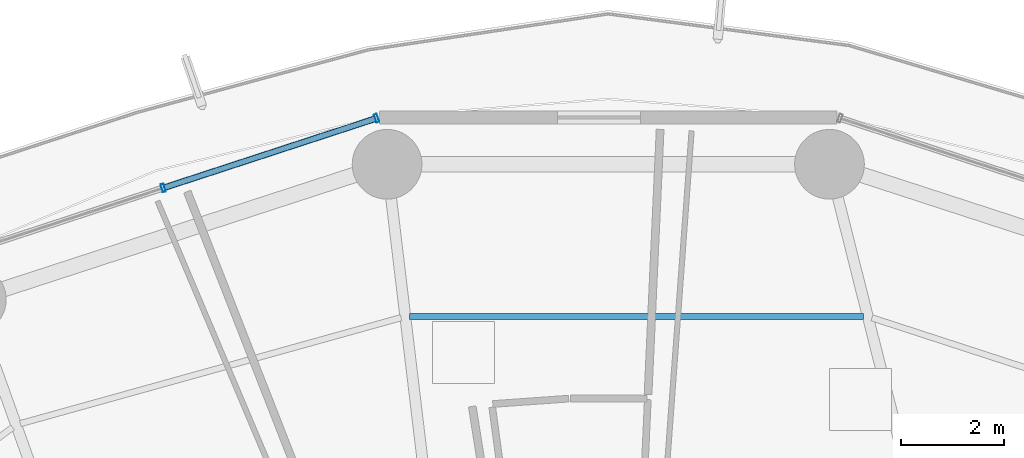
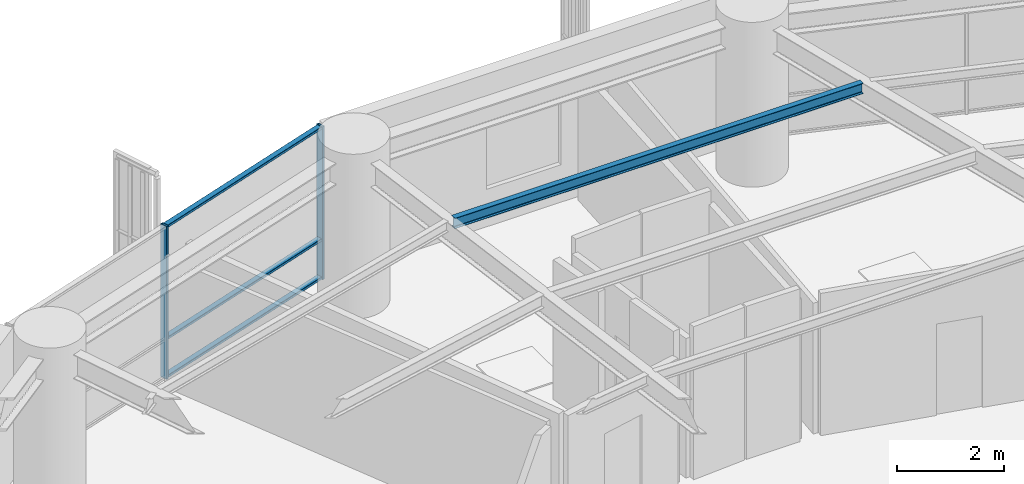
# One storey, part 22 of 37: 5 members, 1 beam, 1 element without a shape of its own.
"""IFC4 building model written with IfcOpenShell, lengths in metres."""

import ifcopenshell
import ifcopenshell.guid

model = None  # the IFC model being written
_history = None  # IfcOwnerHistory: only IFC2X3 demands one
_inside = {}  # id of a spatial element -> (the spatial element, [elements in it])
_under = {}  # id of a project, library or spatial element -> (it, [spatial elements below it])
_declared = {}  # id of a project -> (the project, [libraries it declares])
_typed = {}  # id of a type object -> (the type object, [elements of that type])
_made_of = {}  # id of a material, layer set ... -> (it, [elements and type objects made of it])


def new_model(schema):
    """Start an empty IFC model of exactly this schema.

    Asked for "IFC4X3", IfcOpenShell would pick the latest addendum, in which some entities
    have other attributes; the version numbers below select the first issue.
    IFC2X3 requires an IfcOwnerHistory on every rooted entity: one is made here for all.
    """
    global model, _history
    if schema == "IFC4X3":
        model = ifcopenshell.file(schema_version=(4, 3, 0, 0))
    else:
        model = ifcopenshell.file(schema=schema)
    _inside.clear()
    _under.clear()
    _declared.clear()
    _typed.clear()
    _made_of.clear()
    _history = None
    if model.schema == "IFC2X3":
        org = make("IfcOrganization", Name="unknown")
        user = make(
            "IfcPersonAndOrganization",
            ThePerson=make("IfcPerson", FamilyName="unknown"),
            TheOrganization=org,
        )
        app = make(
            "IfcApplication",
            ApplicationDeveloper=org,
            Version="unknown",
            ApplicationFullName="unknown",
            ApplicationIdentifier="unknown",
        )
        _history = make(
            "IfcOwnerHistory",
            OwningUser=user,
            OwningApplication=app,
            ChangeAction="ADDED",
            CreationDate=0,
        )
    return model


def make(cls, **values):
    """One entity of the class cls with the attributes given. An attribute that is None is left unset."""
    return model.create_entity(
        cls, **{name: value for name, value in values.items() if value is not None}
    )


def rooted(cls, **values):
    """An entity with a GlobalId (a new one), such as an element, a storey or a relation."""
    return make(cls, GlobalId=ifcopenshell.guid.new(), OwnerHistory=_history, **values)


def si_unit(unit_type, name, prefix=None):
    """IfcSIUnit, for example si_unit("LENGTHUNIT", "METRE", prefix="MILLI")."""
    return make("IfcSIUnit", UnitType=unit_type, Prefix=prefix, Name=name)


def assignment(units):
    """IfcUnitAssignment: the units of a project."""
    return None if units is None else make("IfcUnitAssignment", Units=units)


def point(xyz):
    """IfcCartesianPoint."""
    return None if xyz is None else make("IfcCartesianPoint", Coordinates=xyz)


def direction(xyz):
    """IfcDirection."""
    return None if xyz is None else make("IfcDirection", DirectionRatios=xyz)


def frame(location, z_axis=None, x_axis=None):
    """IfcAxis2Placement3D, a coordinate frame: its origin and axes. An axis left out is left unset."""
    return make(
        "IfcAxis2Placement3D",
        Location=point(location),
        Axis=direction(z_axis),
        RefDirection=direction(x_axis),
    )


def frame_2d(location, x_axis=None):
    """IfcAxis2Placement2D, a coordinate frame in the plane: its origin and x axis."""
    return make(
        "IfcAxis2Placement2D", Location=point(location), RefDirection=direction(x_axis)
    )


def origin():
    """The frame at (0, 0, 0) with its axes left unset."""
    return frame((0.0, 0.0, 0.0))


def origin_2d():
    """The frame at (0, 0) in the plane with its x axis left unset."""
    return frame_2d((0.0, 0.0))


def place(relative_to, where):
    """IfcLocalPlacement: puts the frame where relative to a parent placement (None: the world)."""
    return make(
        "IfcLocalPlacement", PlacementRelTo=relative_to, RelativePlacement=where
    )


def context(
    kind, dimensions, precision=None, world=None, true_north=None, identifier=None
):
    """IfcGeometricRepresentationContext, for example the 3D "Model" context."""
    return make(
        "IfcGeometricRepresentationContext",
        ContextIdentifier=identifier,
        ContextType=kind,
        CoordinateSpaceDimension=dimensions,
        Precision=precision,
        WorldCoordinateSystem=world,
        TrueNorth=true_north,
    )


def subcontext(parent, identifier, kind, view, scale=None):
    """IfcGeometricRepresentationSubContext, for example "Body" below "Model"."""
    return make(
        "IfcGeometricRepresentationSubContext",
        ContextIdentifier=identifier,
        ContextType=kind,
        ParentContext=parent,
        TargetScale=scale,
        TargetView=view,
    )


def project(units=None, contexts=None):
    """IfcProject with its units and contexts."""
    return rooted(
        "IfcProject",
        Name="project",
        RepresentationContexts=contexts,
        UnitsInContext=assignment(units),
    )


def spatial(cls, under=None, at=None, **own):
    """A site, building, storey or space (cls), placed at a placement, below another one or the project."""
    s = rooted(cls, ObjectPlacement=at, **own)
    if under is not None:
        _under.setdefault(under.id(), (under, []))[1].append(s)
    return s


def profile(cls, at=None, kind="AREA", **sizes):
    """A parametric profile (cls). Its sizes go by their IFC names, for example OverallWidth=200.0."""
    return make(cls, ProfileType=kind, Position=at, **sizes)


def hollow_rectangle(**sizes):
    """IfcRectangleHollowProfileDef."""
    return profile("IfcRectangleHollowProfileDef", **sizes)


def i_section(**sizes):
    """IfcIShapeProfileDef."""
    return profile("IfcIShapeProfileDef", **sizes)


def extrude(swept, where, along, depth):
    """IfcExtrudedAreaSolid: the profile swept, set in the frame where, extruded along a direction by depth."""
    return make(
        "IfcExtrudedAreaSolid",
        SweptArea=swept,
        Position=where,
        ExtrudedDirection=direction(along),
        Depth=depth,
    )


def shape(context_of_items, identifier, shape_type, items):
    """IfcShapeRepresentation: the items that make up one representation, for example the "Body"."""
    return make(
        "IfcShapeRepresentation",
        ContextOfItems=context_of_items,
        RepresentationIdentifier=identifier,
        RepresentationType=shape_type,
        Items=items,
    )


def material(Name=None, Category=None):
    """IfcMaterial."""
    return make("IfcMaterial", Name=Name, Category=Category)


def layer(
    of_material, thickness, ventilated=None, Name=None, Category=None, Priority=None
):
    """IfcMaterialLayer: one layer of a wall or slab, of a material (None: an air gap)."""
    return make(
        "IfcMaterialLayer",
        Material=of_material,
        LayerThickness=thickness,
        IsVentilated=ventilated,
        Name=Name,
        Category=Category,
        Priority=Priority,
    )


def layer_set(layers, Name=None):
    """IfcMaterialLayerSet."""
    return make("IfcMaterialLayerSet", MaterialLayers=layers, LayerSetName=Name)


def material_profile(
    of_material, cross_section, Name=None, Category=None, Priority=None
):
    """IfcMaterialProfile: a cross section and its material."""
    return make(
        "IfcMaterialProfile",
        Name=Name,
        Material=of_material,
        Profile=cross_section,
        Priority=Priority,
        Category=Category,
    )


def profile_set(profiles, Name=None, composite=None):
    """IfcMaterialProfileSet."""
    return make(
        "IfcMaterialProfileSet",
        Name=Name,
        MaterialProfiles=profiles,
        CompositeProfile=composite,
    )


def made_of(thing, what):
    """Note that an element or type object is made of a material, layer set ...; save() writes the relation."""
    if what is not None:
        _made_of.setdefault(what.id(), (what, []))[1].append(thing)
    return thing


def type_object(cls, material=None, **own):
    """A type object (cls), such as IfcWallType, which elements share."""
    return made_of(rooted(cls, **own), material)


def element(
    cls,
    number,
    at=None,
    inside=None,
    cuts=None,
    type_object=None,
    material=None,
    context=None,
    identifier="Body",
    shape_type=None,
    held_by="IfcProductDefinitionShape",
    body=None,
    shapes=None,
    **own,
):
    """One element of the class cls, such as IfcWall. Its Tag is "e" and its number.

    at: its placement. inside: the storey or other place that contains it. cuts: it is an
    opening in that element (IfcRelVoidsElement). A single representation is given by context,
    identifier, shape_type and body (its items); several are given by shapes. held_by: the class
    of the entity that holds the representations. save() writes the other relations.
    """
    e = rooted(cls, Tag="e%d" % number, ObjectPlacement=at, **own)
    if body is not None:
        shapes = [shape(context, identifier, shape_type, body)]
    if shapes is not None:
        e.Representation = make(held_by, Representations=shapes)
    if inside is not None:
        _inside.setdefault(inside.id(), (inside, []))[1].append(e)
    if cuts is not None:
        rooted(
            "IfcRelVoidsElement", RelatingBuildingElement=cuts, RelatedOpeningElement=e
        )
    if type_object is not None:
        _typed.setdefault(type_object.id(), (type_object, []))[1].append(e)
    return made_of(e, material)


def aggregate(whole, parts):
    """IfcRelAggregates: a whole, such as a stair, and the parts it consists of."""
    return rooted("IfcRelAggregates", RelatingObject=whole, RelatedObjects=parts)


def save(model, path):
    """Write the relations noted so far, then the file.

    IfcRelAggregates (storeys below a building ...), IfcRelContainedInSpatialStructure (elements
    in a storey), IfcRelDefinesByType, IfcRelAssociatesMaterial and IfcRelDeclares: one each for
    every whole, place, type object, material and project.
    """
    for whole, parts in _under.values():
        aggregate(whole, parts)
    for where, things in _inside.values():
        rooted(
            "IfcRelContainedInSpatialStructure",
            RelatedElements=things,
            RelatingStructure=where,
        )
    for kind, things in _typed.values():
        rooted("IfcRelDefinesByType", RelatedObjects=things, RelatingType=kind)
    for what, things in _made_of.values():
        rooted("IfcRelAssociatesMaterial", RelatedObjects=things, RelatingMaterial=what)
    for by, libraries in _declared.values():
        rooted("IfcRelDeclares", RelatingContext=by, RelatedDefinitions=libraries)
    model.write(path)


model = new_model("IFC4")

# Units and contexts
model_context = context("Model", 3, precision=1e-05, world=origin(), true_north=direction((0.0, 1.0)))
body_context = subcontext(model_context, "Body", "Model", "MODEL_VIEW")
ifc_project = project(units=[si_unit("LENGTHUNIT", "METRE"), si_unit("AREAUNIT", "SQUARE_METRE"), si_unit("VOLUMEUNIT", "CUBIC_METRE"), si_unit("PLANEANGLEUNIT", "RADIAN"), si_unit("MASSUNIT", "GRAM", prefix="KILO")], contexts=[model_context])

# Site, building, storey
site_placement = place(None, origin())
site = spatial("IfcSite", under=ifc_project, at=site_placement, CompositionType="ELEMENT")
building_placement = place(site_placement, origin())
building = spatial("IfcBuilding", under=site, at=building_placement, Name="Kelanora Arch Commons", CompositionType="ELEMENT")
storey_placement = place(building_placement, frame((0.0, 0.0, 110.10009765625)))
storey = spatial("IfcBuildingStorey", under=building, at=storey_placement, Name="L28", CompositionType="ELEMENT", Elevation=110.10009765625)

# Beam
ifc_material_1 = material(Name="Steel S355", Category="steel")
ifc_material_profile_1 = material_profile(ifc_material_1, i_section(OverallWidth=0.1201171875, OverallDepth=0.239990234375, WebThickness=0.006103515625, FlangeThickness=0.009765625, FilletRadius=0.014892578125, at=origin_2d()), Name="IPE240")
ifc_profile_set_1 = profile_set([ifc_material_profile_1], Name="Steel S355")
beam_type = type_object("IfcBeamType", Name="BM-JST-02", PredefinedType="JOIST", material=ifc_profile_set_1)
beam_placement = place(storey_placement, frame((78.943603515625, 76.795654296875, 3.369873046875), z_axis=(-1.0, 0.0, 0.0), x_axis=(0.0, -1.0, 0.0)))
element("IfcBeam", 1, at=beam_placement, inside=storey, type_object=beam_type, Name="Secondary Chord Joist BJC-08 L28", PredefinedType="JOIST", context=body_context, shape_type="SweptSolid", body=[
    extrude(i_section(OverallWidth=0.1201171875, OverallDepth=0.239990234375, WebThickness=0.006103515625, FlangeThickness=0.009765625, FilletRadius=0.014892578125, at=origin_2d()), origin(), (0.0, 0.0, 1.0), 8.791015625),
])

# Curtain wall, members
ifc_material_2 = material(Name="Terracotta ceramic-fritted low-E glass and aluminium", Category="masonry")
ifc_layer = layer(ifc_material_2, 0.159912109375)
ifc_layer_set = layer_set([ifc_layer], Name="Terracotta ceramic-fritted low-E glass and aluminium")
curtain_wall_type = type_object("IfcCurtainWallType", Name="CW-SYS-01", PredefinedType="NOTDEFINED", material=ifc_layer_set)
curtain_wall_placement = place(storey_placement, origin())
curtain_wall = element("IfcCurtainWall", 2, at=curtain_wall_placement, inside=storey, type_object=curtain_wall_type, Name="Unitised Curtain Wall L28-B05", PredefinedType="NOTDEFINED")
ifc_material_3 = material(Name="Powder-coated aluminium terracotta", Category="masonry")
ifc_material_profile_2 = material_profile(ifc_material_3, hollow_rectangle(XDim=0.159912109375, YDim=0.06005859375, WallThickness=0.0048828125, InnerFilletRadius=0.0048828125, OuterFilletRadius=0.010009765625, at=origin_2d()), Name="CWM160x60")
ifc_profile_set_2 = profile_set([ifc_material_profile_2], Name="Powder-coated aluminium terracotta")
member_type_1 = type_object("IfcMemberType", Name="CWM-STD", PredefinedType="MULLION", material=ifc_profile_set_2)
member_1_placement = place(storey_placement, frame((69.51171875, 80.636474609375, 0.0), z_axis=(0.0, 0.0, 1.0), x_axis=(0.31080470294, -0.950473795867, 0.0)))
member_1 = element("IfcMember", 3, at=member_1_placement, type_object=member_type_1, Name="CW-01 mullion 1", PredefinedType="MULLION", context=body_context, shape_type="SweptSolid", body=[
    extrude(hollow_rectangle(XDim=0.159912109375, YDim=0.06005859375, WallThickness=0.0048828125, InnerFilletRadius=0.0048828125, OuterFilletRadius=0.010009765625, at=origin_2d()), origin(), (0.0, 0.0, 1.0), 3.474853515625),
])
member_2_placement = place(storey_placement, frame((65.377197265625, 79.28466796875, 0.0), z_axis=(0.0, 0.0, 1.0), x_axis=(0.31080470294, -0.950473795867, 0.0)))
member_2 = element("IfcMember", 4, at=member_2_placement, type_object=member_type_1, Name="CW-01 mullion 2", PredefinedType="MULLION", context=body_context, shape_type="SweptSolid", body=[
    extrude(hollow_rectangle(XDim=0.159912109375, YDim=0.06005859375, WallThickness=0.0048828125, InnerFilletRadius=0.0048828125, OuterFilletRadius=0.010009765625, at=origin_2d()), origin(), (0.0, 0.0, 1.0), 3.474853515625),
])
ifc_material_profile_3 = material_profile(ifc_material_3, hollow_rectangle(XDim=0.1201171875, YDim=0.06005859375, WallThickness=0.0048828125, InnerFilletRadius=0.0048828125, OuterFilletRadius=0.010009765625, at=origin_2d()), Name="CWT120x60")
ifc_profile_set_3 = profile_set([ifc_material_profile_3], Name="Powder-coated aluminium terracotta")
member_type_2 = type_object("IfcMemberType", Name="CWT-STD", PredefinedType="USERDEFINED", material=ifc_profile_set_3)
member_3_placement = place(storey_placement, frame((69.483154296875, 80.627197265625, 0.02978515625), z_axis=(-0.950477544745, -0.31079323824, 0.0), x_axis=(0.31079323824, -0.950477544745, 0.0)))
member_3 = element("IfcMember", 5, at=member_3_placement, type_object=member_type_2, Name="CW-01 transom 1.1", ObjectType="TRANSOM", PredefinedType="USERDEFINED", context=body_context, shape_type="SweptSolid", body=[
    extrude(hollow_rectangle(XDim=0.1201171875, YDim=0.06005859375, WallThickness=0.0048828125, InnerFilletRadius=0.0048828125, OuterFilletRadius=0.010009765625, at=origin_2d()), origin(), (0.0, 0.0, 1.0), 4.289794921875),
])
member_4_placement = place(storey_placement, frame((69.483154296875, 80.627197265625, 0.89990234375), z_axis=(-0.950477544745, -0.31079323824, 0.0), x_axis=(0.31079323824, -0.950477544745, 0.0)))
member_4 = element("IfcMember", 6, at=member_4_placement, type_object=member_type_2, Name="CW-01 transom 1.2", ObjectType="TRANSOM", PredefinedType="USERDEFINED", context=body_context, shape_type="SweptSolid", body=[
    extrude(hollow_rectangle(XDim=0.1201171875, YDim=0.06005859375, WallThickness=0.0048828125, InnerFilletRadius=0.0048828125, OuterFilletRadius=0.010009765625, at=origin_2d()), origin(), (0.0, 0.0, 1.0), 4.289794921875),
])
member_5_placement = place(storey_placement, frame((69.483154296875, 80.627197265625, 3.44482421875), z_axis=(-0.950477544745, -0.31079323824, 0.0), x_axis=(0.31079323824, -0.950477544745, 0.0)))
member_5 = element("IfcMember", 7, at=member_5_placement, type_object=member_type_2, Name="CW-01 transom 1.3", ObjectType="TRANSOM", PredefinedType="USERDEFINED", context=body_context, shape_type="SweptSolid", body=[
    extrude(hollow_rectangle(XDim=0.1201171875, YDim=0.06005859375, WallThickness=0.0048828125, InnerFilletRadius=0.0048828125, OuterFilletRadius=0.010009765625, at=origin_2d()), origin(), (0.0, 0.0, 1.0), 4.289794921875),
])
aggregate(curtain_wall, [member_1, member_2, member_3, member_4, member_5])

save(model, "model.ifc")
